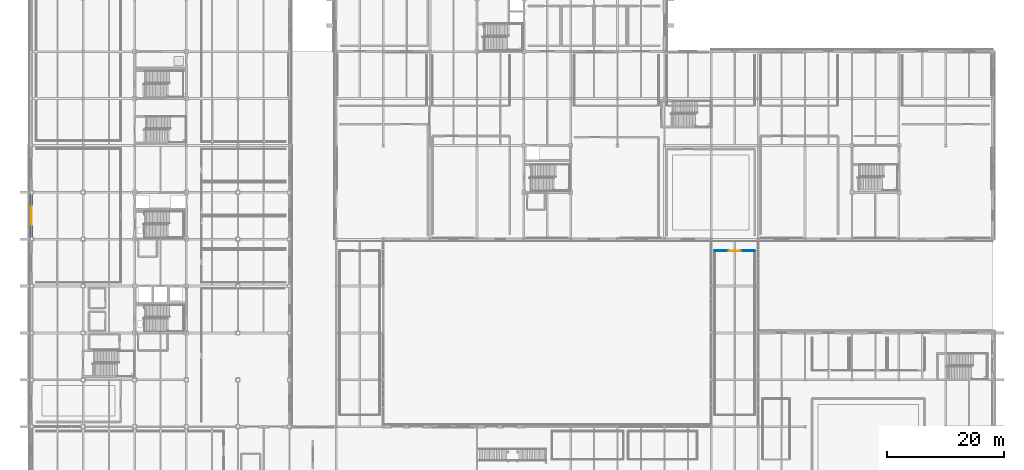
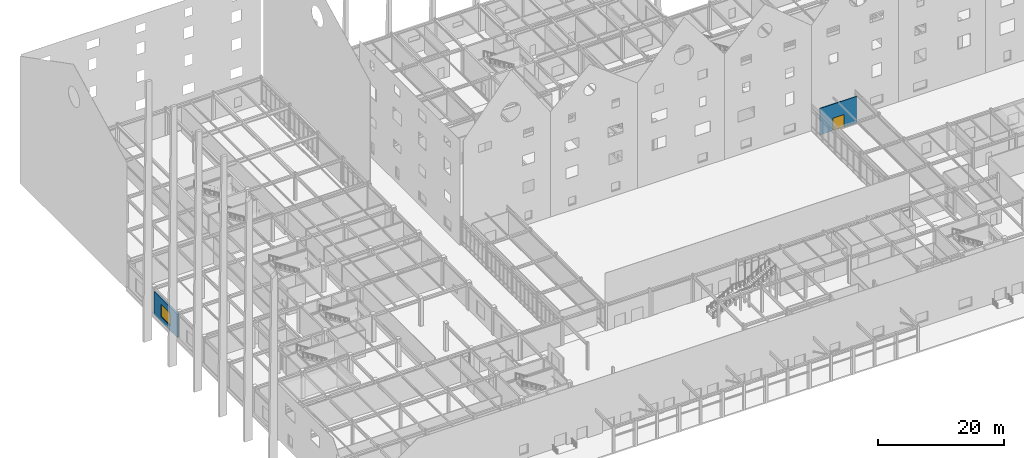
# One storey, part 90 of 119: 2 walls, 1 door, 1 window, 2 openings.
"""IFC4 building model written with IfcOpenShell, lengths in metres."""

from ifc_helpers import new_model, si_unit, direction, frame, frame_2d, origin, place, context, subcontext, project, spatial, rectangle, extrude, material, layer, layer_set, type_object, element, fill, save


model = new_model("IFC4")

# Units and contexts
model_context = context("Model", 3, precision=1e-05, world=origin(), true_north=direction((0.0, 1.0)))
body_context = subcontext(model_context, "Body", "Model", "MODEL_VIEW")
ifc_project = project(units=[si_unit("LENGTHUNIT", "METRE"), si_unit("AREAUNIT", "SQUARE_METRE"), si_unit("VOLUMEUNIT", "CUBIC_METRE"), si_unit("PLANEANGLEUNIT", "RADIAN"), si_unit("MASSUNIT", "GRAM", prefix="KILO")], contexts=[model_context])

# Site, building, storey
site_placement = place(None, origin())
site = spatial("IfcSite", under=ifc_project, at=site_placement, CompositionType="ELEMENT")
building_placement = place(site_placement, origin())
building = spatial("IfcBuilding", under=site, at=building_placement, Name="Zhaolan Boulevard Law Courts", CompositionType="ELEMENT")
storey_placement = place(building_placement, origin())
storey = spatial("IfcBuildingStorey", under=building, at=storey_placement, Name="L00", CompositionType="ELEMENT", Elevation=0.0)

# Wall, opening, window
ifc_material_1 = material(Name="Concrete C40", Category="concrete")
ifc_layer_1 = layer(ifc_material_1, 0.320068359375)
ifc_layer_set_1 = layer_set([ifc_layer_1])
wall_type_1 = type_object("IfcWallType", Name="EXT WALL CONCRETE320", PredefinedType="SOLIDWALL", material=ifc_layer_set_1)
wall_1_placement = place(storey_placement, frame((0.0, 69.678955078125, 0.0), z_axis=(0.0, 0.0, 1.0), x_axis=(0.0, -1.0, 0.0)))
wall_1 = element("IfcWall", 1, at=wall_1_placement, inside=storey, type_object=wall_type_1, Name="Exterior Wall EW-L00-369", PredefinedType="SOLIDWALL", context=body_context, shape_type="SweptSolid", body=[
    extrude(rectangle(XDim=7.35791015625, YDim=0.320068359375, at=frame_2d((3.678955078125, 0.0))), origin(), (0.0, 0.0, 1.0), 4.52294921875),
])
opening_1_placement = place(wall_1_placement, frame((2.178955078125, 0.0, 0.949951171875)))
opening_1 = element("IfcOpeningElement", 2, at=opening_1_placement, cuts=wall_1, Name="Opening WIN-L00-220", PredefinedType="OPENING", context=body_context, shape_type="SweptSolid", body=[
    extrude(rectangle(XDim=3.0, YDim=2.39990234375, at=frame_2d((1.5, 1.199951171875))), frame((0.0, 0.169921875, 0.0), z_axis=(0.0, -1.0, 0.0), x_axis=(1.0, 0.0, 0.0)), (0.0, 0.0, 1.0), 0.340087890625),
])
ifc_material_2 = material(Name="Thermally broken aluminium and low-E glazing", Category="aluminium")
window_type = type_object("IfcWindowType", Name="WINDOW 3000X2400", PartitioningType="DOUBLE_PANEL_VERTICAL", PredefinedType="WINDOW", material=ifc_material_2)
window_placement = place(opening_1_placement, origin())
window = element("IfcWindow", 3, at=window_placement, inside=storey, type_object=window_type, Name="Exterior Window WIN-L00-220", OverallHeight=2.39990234375, OverallWidth=3.0, PartitioningType="SINGLE_PANEL", PredefinedType="WINDOW", context=body_context, shape_type="SweptSolid", body=[
    extrude(rectangle(XDim=3.0, YDim=2.39990234375, at=frame_2d((1.5, 1.199951171875))), frame((0.0, 0.030029296875, 0.0), z_axis=(0.0, -1.0, 0.0), x_axis=(1.0, 0.0, 0.0)), (0.0, 0.0, 1.0), 0.06005859375),
])
fill(opening_1, window)

# Wall, opening, door
ifc_material_3 = material(Name="Fire-rated gypsum stud partition")
ifc_layer_2 = layer(ifc_material_3, 0.139892578125)
ifc_layer_set_2 = layer_set([ifc_layer_2])
wall_type_2 = type_object("IfcWallType", Name="PART WALL OFFICE140", PredefinedType="PARTITIONING", material=ifc_layer_set_2)
wall_2_placement = place(storey_placement, frame((123.39990234375, 60.0, 0.0), z_axis=(0.0, 0.0, 1.0), x_axis=(-1.0, 0.0, 0.0)))
wall_2 = element("IfcWall", 4, at=wall_2_placement, inside=storey, type_object=wall_type_2, Name="Interior Partition PW-L00-756", PredefinedType="PARTITIONING", context=body_context, shape_type="SweptSolid", body=[
    extrude(rectangle(XDim=6.7998046875, YDim=0.139892578125, at=frame_2d((3.39990234375, 0.0))), origin(), (0.0, 0.0, 1.0), 5.1201171875),
])
opening_2_placement = place(wall_2_placement, frame((2.39990234375, 0.0, 0.0)))
opening_2 = element("IfcOpeningElement", 5, at=opening_2_placement, cuts=wall_2, Name="Opening ID-L00-237", PredefinedType="OPENING", context=body_context, shape_type="SweptSolid", body=[
    extrude(rectangle(XDim=2.0, YDim=2.39990234375, at=frame_2d((1.0, 1.199951171875))), frame((0.0, 0.079833984375, 0.0), z_axis=(0.0, -1.0, 0.0), x_axis=(1.0, 0.0, 0.0)), (0.0, 0.0, 1.0), 0.159912109375),
])
ifc_material_4 = material(Name="Solid-core acoustic oak veneer door")
door_type = type_object("IfcDoorType", Name="HALL DOUBLE 2000X2400", OperationType="DOUBLE_DOOR_SINGLE_SWING", PredefinedType="DOOR", material=ifc_material_4)
door_placement = place(opening_2_placement, origin())
door = element("IfcDoor", 6, at=door_placement, inside=storey, type_object=door_type, Name="Door ID-L00-237 (East Garden Court Public Gallery L00)", OperationType="DOUBLE_DOOR_SINGLE_SWING", OverallHeight=2.39990234375, OverallWidth=2.0, PredefinedType="DOOR", context=body_context, shape_type="SweptSolid", body=[
    extrude(rectangle(XDim=2.0, YDim=2.39990234375, at=frame_2d((1.0, 1.199951171875))), frame((0.0, 0.02490234375, 0.0), z_axis=(0.0, -1.0, 0.0), x_axis=(1.0, 0.0, 0.0)), (0.0, 0.0, 1.0), 0.050048828125),
])
fill(opening_2, door)

save(model, "model.ifc")
